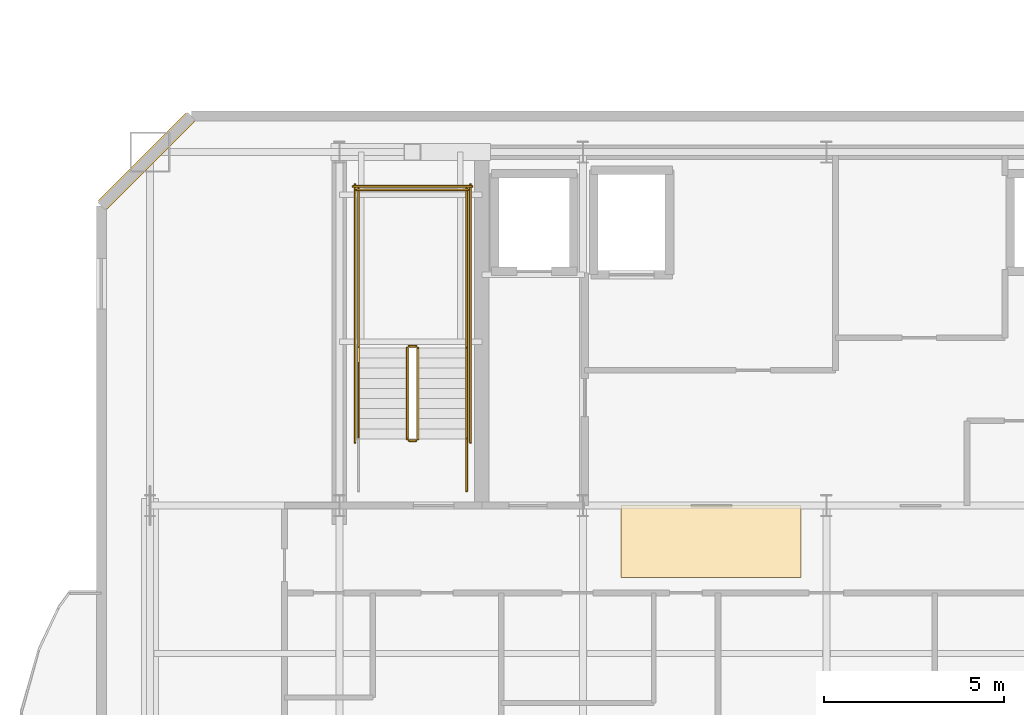
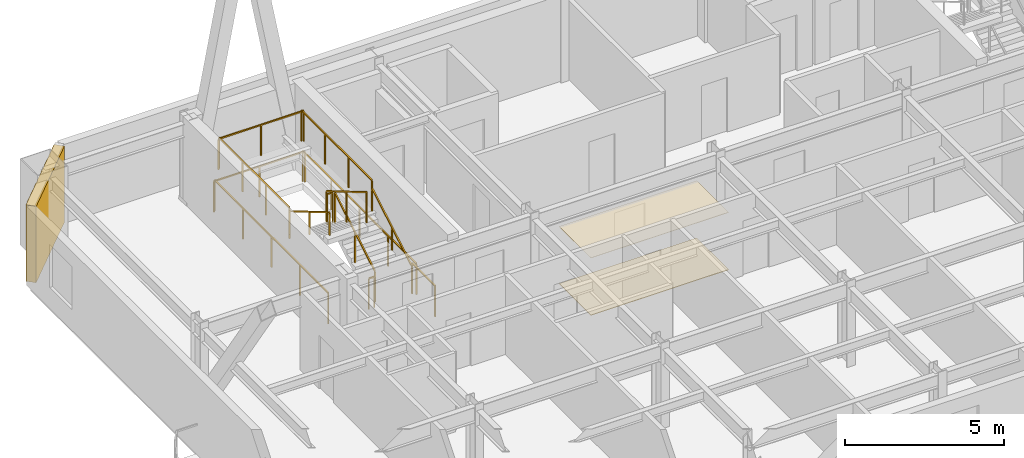
# One storey, part 16 of 19: 13 railings, 2 coverings, 1 shading device.
"""IFC4 building model written with IfcOpenShell, lengths in metres."""

from ifc_helpers import new_model, si_unit, direction, frame, origin, origin_2d, place, context, subcontext, project, spatial, polyline, rectangle, outline, extrude, material, layer, layer_set, type_object, element, save


model = new_model("IFC4")

# Units and contexts
model_context = context("Model", 3, precision=1e-05, world=origin(), true_north=direction((0.0, 1.0)))
body_context = subcontext(model_context, "Body", "Model", "MODEL_VIEW")
ifc_project = project(units=[si_unit("LENGTHUNIT", "METRE"), si_unit("AREAUNIT", "SQUARE_METRE"), si_unit("VOLUMEUNIT", "CUBIC_METRE"), si_unit("PLANEANGLEUNIT", "RADIAN"), si_unit("MASSUNIT", "GRAM", prefix="KILO")], contexts=[model_context])

# Site, building, storey
site_placement = place(None, origin())
site = spatial("IfcSite", under=ifc_project, at=site_placement, CompositionType="ELEMENT")
building_placement = place(site_placement, origin())
building = spatial("IfcBuilding", under=site, at=building_placement, Name="Haevon Station Towers", CompositionType="ELEMENT")
storey_placement = place(building_placement, frame((0.0, 0.0, 218.699951171875)))
storey = spatial("IfcBuildingStorey", under=building, at=storey_placement, Name="L60", CompositionType="ELEMENT", Elevation=218.699951171875)

# Coverings
ifc_material_1 = material(Name="Gypsum acoustic ceiling tile", Category="concrete")
ifc_layer_1 = layer(ifc_material_1, 0.014892578125)
ifc_layer_set_1 = layer_set([ifc_layer_1], Name="Gypsum acoustic ceiling tile")
covering_type_1 = type_object("IfcCoveringType", Name="COV-CEIL15", PredefinedType="CEILING", material=ifc_layer_set_1)
covering_1_placement = place(storey_placement, frame((0.0, 0.0, 2.199951171875)))
element("IfcCovering", 1, at=covering_1_placement, inside=storey, type_object=covering_type_1, Name="L60 Acoustic Corridor Ceiling", PredefinedType="CEILING", context=body_context, shape_type="SweptSolid", body=[
    extrude(outline(polyline([(31.800048828125, 36.199951171875), (36.800048828125, 36.199951171875), (36.800048828125, 38.199951171875), (31.800048828125, 38.199951171875), (31.800048828125, 36.199951171875)])), origin(), (0.0, 0.0, 1.0), 0.01513671875),
])
ifc_material_2 = material(Name="Granite stone paving", Category="masonry")
ifc_layer_2 = layer(ifc_material_2, 0.02001953125)
ifc_layer_set_2 = layer_set([ifc_layer_2], Name="Granite stone paving")
covering_type_2 = type_object("IfcCoveringType", Name="COV-FLR20", PredefinedType="FLOORING", material=ifc_layer_set_2)
covering_2_placement = place(storey_placement, origin())
element("IfcCovering", 2, at=covering_2_placement, inside=storey, type_object=covering_type_2, Name="L60 Corridor Stone Flooring", PredefinedType="FLOORING", context=body_context, shape_type="SweptSolid", body=[
    extrude(outline(polyline([(31.800048828125, 36.199951171875), (36.800048828125, 36.199951171875), (36.800048828125, 38.199951171875), (31.800048828125, 38.199951171875), (31.800048828125, 36.199951171875)])), origin(), (0.0, 0.0, 1.0), 0.02001953125),
])

# Railings
ifc_material_3 = material(Name="Steel S355", Category="steel")
railing_type_1 = type_object("IfcRailingType", Name="GRD-STR1200", PredefinedType="GUARDRAIL", material=ifc_material_3)
railing_1_placement = place(storey_placement, frame((26.179931640625, 40.050048828125, 0.1650390625)))
element("IfcRailing", 3, at=railing_1_placement, inside=storey, type_object=railing_type_1, Name="L60 ST1 Stair Guard 1", PredefinedType="GUARDRAIL", context=body_context, shape_type="SweptSolid", body=[
    extrude(rectangle(XDim=0.048095703125, YDim=0.048095703125, at=origin_2d()), frame((0.0, 0.0, 1.17578125), z_axis=(0.0, 0.86152411907, 0.507716645641), x_axis=(-1.0, 0.0, 0.0)), (0.0, 0.0, 1.0), 2.925048828125),
    extrude(rectangle(XDim=0.0419921875, YDim=0.0419921875, at=origin_2d()), origin(), (0.0, 0.0, 1.0), 1.15185546875),
    extrude(rectangle(XDim=0.0419921875, YDim=0.0419921875, at=origin_2d()), frame((0.0, 1.260009765625, 0.74267578125)), (0.0, 0.0, 1.0), 1.15185546875),
    extrude(rectangle(XDim=0.0419921875, YDim=0.0419921875, at=origin_2d()), frame((0.0, 2.52001953125, 1.485107421875)), (0.0, 0.0, 1.0), 1.15185546875),
])
railing_2_placement = place(storey_placement, frame((26.1298828125, 42.6201171875, 1.650146484375)))
element("IfcRailing", 4, at=railing_2_placement, inside=storey, type_object=railing_type_1, Name="L60 ST1 Stair Guard 2", PredefinedType="GUARDRAIL", context=body_context, shape_type="SweptSolid", body=[
    extrude(rectangle(XDim=0.048095703125, YDim=0.048095703125, at=origin_2d()), frame((0.0, 0.0, 1.17578125), z_axis=(-1.0, 0.0, 0.0), x_axis=(0.0, -1.0, 0.0)), (0.0, 0.0, 1.0), 0.199951171875),
    extrude(rectangle(XDim=0.0419921875, YDim=0.0419921875, at=origin_2d()), origin(), (0.0, 0.0, 1.0), 1.15185546875),
    extrude(rectangle(XDim=0.0419921875, YDim=0.0419921875, at=origin_2d()), frame((-0.199951171875, 0.0, 0.0)), (0.0, 0.0, 1.0), 1.15185546875),
])
for number, where, name in (
    (5, (27.530029296875, 42.570068359375, 1.650146484375), "L60 ST1 Stair Guard 3"),
    (6, (24.530029296875, 42.570068359375, 1.650146484375), "L60 ST1 Stair Guard 4"),
):
    element("IfcRailing", number, at=place(storey_placement, frame(where)), inside=storey, type_object=railing_type_1, Name=name, PredefinedType="GUARDRAIL", context=body_context, shape_type="SweptSolid", body=[
        extrude(rectangle(XDim=0.048095703125, YDim=0.048095703125, at=origin_2d()), frame((0.0, 0.0, 1.17578125), z_axis=(0.0, 1.0, 0.0), x_axis=(-1.0, 0.0, 0.0)), (0.0, 0.0, 1.0), 4.429931640625),
        extrude(rectangle(XDim=0.0419921875, YDim=0.0419921875, at=origin_2d()), origin(), (0.0, 0.0, 1.0), 1.15185546875),
        extrude(rectangle(XDim=0.0419921875, YDim=0.0419921875, at=origin_2d()), frame((0.0, 1.4765625, 0.0)), (0.0, 0.0, 1.0), 1.15185546875),
        extrude(rectangle(XDim=0.0419921875, YDim=0.0419921875, at=origin_2d()), frame((0.0, 2.953369140625, 0.0)), (0.0, 0.0, 1.0), 1.15185546875),
        extrude(rectangle(XDim=0.0419921875, YDim=0.0419921875, at=origin_2d()), frame((0.0, 4.429931640625, 0.0)), (0.0, 0.0, 1.0), 1.15185546875),
    ])
railing_3_placement = place(storey_placement, frame((27.580078125, 46.949951171875, 1.650146484375)))
element("IfcRailing", 7, at=railing_3_placement, inside=storey, type_object=railing_type_1, Name="L60 ST1 Stair Guard 5", PredefinedType="GUARDRAIL", context=body_context, shape_type="SweptSolid", body=[
    extrude(rectangle(XDim=0.048095703125, YDim=0.048095703125, at=origin_2d()), frame((0.0, 0.0, 1.17578125), z_axis=(-1.0, 0.0, 0.0), x_axis=(0.0, -1.0, 0.0)), (0.0, 0.0, 1.0), 3.10009765625),
    extrude(rectangle(XDim=0.0419921875, YDim=0.0419921875, at=origin_2d()), origin(), (0.0, 0.0, 1.0), 1.15185546875),
    extrude(rectangle(XDim=0.0419921875, YDim=0.0419921875, at=origin_2d()), frame((-1.550048828125, 0.0, 0.0)), (0.0, 0.0, 1.0), 1.15185546875),
    extrude(rectangle(XDim=0.0419921875, YDim=0.0419921875, at=origin_2d()), frame((-3.10009765625, 0.0, 0.0)), (0.0, 0.0, 1.0), 1.15185546875),
])
railing_4_placement = place(storey_placement, frame((25.8798828125, 42.570068359375, 1.81494140625)))
element("IfcRailing", 8, at=railing_4_placement, inside=storey, type_object=railing_type_1, Name="L60 ST1 Stair Guard 6", PredefinedType="GUARDRAIL", context=body_context, shape_type="SweptSolid", body=[
    extrude(rectangle(XDim=0.048095703125, YDim=0.048095703125, at=origin_2d()), frame((0.0, 0.0, 1.17578125), z_axis=(0.0, -0.86152411907, 0.507716645641), x_axis=(1.0, 0.0, 0.0)), (0.0, 0.0, 1.0), 2.925048828125),
    extrude(rectangle(XDim=0.0419921875, YDim=0.0419921875, at=origin_2d()), origin(), (0.0, 0.0, 1.0), 1.15185546875),
    extrude(rectangle(XDim=0.0419921875, YDim=0.0419921875, at=origin_2d()), frame((0.0, -1.260009765625, 0.74267578125)), (0.0, 0.0, 1.0), 1.15185546875),
    extrude(rectangle(XDim=0.0419921875, YDim=0.0419921875, at=origin_2d()), frame((0.0, -2.52001953125, 1.485107421875)), (0.0, 0.0, 1.0), 1.15185546875),
])
railing_5_placement = place(storey_placement, frame((26.1298828125, 40.0, 0.0)))
element("IfcRailing", 9, at=railing_5_placement, inside=storey, type_object=railing_type_1, Name="L60 ST1 Stair Guard 7", PredefinedType="GUARDRAIL", context=body_context, shape_type="SweptSolid", body=[
    extrude(rectangle(XDim=0.048095703125, YDim=0.048095703125, at=origin_2d()), frame((0.0, 0.0, 1.17578125), z_axis=(-1.0, 0.0, 0.0), x_axis=(0.0, -1.0, 0.0)), (0.0, 0.0, 1.0), 0.199951171875),
    extrude(rectangle(XDim=0.0419921875, YDim=0.0419921875, at=origin_2d()), origin(), (0.0, 0.0, 1.0), 1.15185546875),
    extrude(rectangle(XDim=0.0419921875, YDim=0.0419921875, at=origin_2d()), frame((-0.199951171875, 0.0, 0.0)), (0.0, 0.0, 1.0), 1.15185546875),
])
railing_6_placement = place(storey_placement, frame((27.530029296875, 38.60009765625, 0.0)))
element("IfcRailing", 10, at=railing_6_placement, inside=storey, type_object=railing_type_1, Name="L60 ST1 Stair Guard 8", PredefinedType="GUARDRAIL", context=body_context, shape_type="SweptSolid", body=[
    extrude(rectangle(XDim=0.048095703125, YDim=0.048095703125, at=origin_2d()), frame((0.0, 0.0, 1.17578125), z_axis=(0.0, 1.0, 0.0), x_axis=(-1.0, 0.0, 0.0)), (0.0, 0.0, 1.0), 1.449951171875),
    extrude(rectangle(XDim=0.0419921875, YDim=0.0419921875, at=origin_2d()), origin(), (0.0, 0.0, 1.0), 1.15185546875),
    extrude(rectangle(XDim=0.0419921875, YDim=0.0419921875, at=origin_2d()), frame((0.0, 1.449951171875, 0.0)), (0.0, 0.0, 1.0), 1.15185546875),
])
for number, where, name in (
    (11, (27.6298828125, 39.949951171875, 0.0), "L60 ST1 Stair Guard 10"),
    (12, (24.429931640625, 39.949951171875, 0.0), "L60 ST1 Stair Guard 11"),
):
    element("IfcRailing", number, at=place(storey_placement, frame(where)), inside=storey, type_object=railing_type_1, Name=name, PredefinedType="GUARDRAIL", context=body_context, shape_type="SweptSolid", body=[
        extrude(rectangle(XDim=0.048095703125, YDim=0.048095703125, at=origin_2d()), frame((0.0, 0.0, 1.17578125), z_axis=(0.0, 1.0, 0.0), x_axis=(-1.0, 0.0, 0.0)), (0.0, 0.0, 1.0), 7.150146484375),
        extrude(rectangle(XDim=0.0419921875, YDim=0.0419921875, at=origin_2d()), origin(), (0.0, 0.0, 1.0), 1.15185546875),
        extrude(rectangle(XDim=0.0419921875, YDim=0.0419921875, at=origin_2d()), frame((0.0, 1.78759765625, 0.0)), (0.0, 0.0, 1.0), 1.15185546875),
        extrude(rectangle(XDim=0.0419921875, YDim=0.0419921875, at=origin_2d()), frame((0.0, 3.5751953125, 0.0)), (0.0, 0.0, 1.0), 1.15185546875),
        extrude(rectangle(XDim=0.0419921875, YDim=0.0419921875, at=origin_2d()), frame((0.0, 5.362548828125, 0.0)), (0.0, 0.0, 1.0), 1.15185546875),
        extrude(rectangle(XDim=0.0419921875, YDim=0.0419921875, at=origin_2d()), frame((0.0, 7.150146484375, 0.0)), (0.0, 0.0, 1.0), 1.15185546875),
    ])
railing_7_placement = place(storey_placement, frame((27.679931640625, 47.050048828125, 0.0)))
element("IfcRailing", 13, at=railing_7_placement, inside=storey, type_object=railing_type_1, Name="L60 ST1 Stair Guard 12", PredefinedType="GUARDRAIL", context=body_context, shape_type="SweptSolid", body=[
    extrude(rectangle(XDim=0.048095703125, YDim=0.048095703125, at=origin_2d()), frame((0.0, 0.0, 1.17578125), z_axis=(-1.0, 0.0, 0.0), x_axis=(0.0, -1.0, 0.0)), (0.0, 0.0, 1.0), 3.300048828125),
    extrude(rectangle(XDim=0.0419921875, YDim=0.0419921875, at=origin_2d()), origin(), (0.0, 0.0, 1.0), 1.15185546875),
    extrude(rectangle(XDim=0.0419921875, YDim=0.0419921875, at=origin_2d()), frame((-1.64990234375, 0.0, 0.0)), (0.0, 0.0, 1.0), 1.15185546875),
    extrude(rectangle(XDim=0.0419921875, YDim=0.0419921875, at=origin_2d()), frame((-3.300048828125, 0.0, 0.0)), (0.0, 0.0, 1.0), 1.15185546875),
])
railing_type_2 = type_object("IfcRailingType", Name="HND-STR900", PredefinedType="HANDRAIL", material=ifc_material_3)
railing_8_placement = place(storey_placement, frame((27.530029296875, 40.050048828125, 0.1650390625)))
element("IfcRailing", 14, at=railing_8_placement, inside=storey, type_object=railing_type_2, Name="L60 ST1 Stair Handrail 1", PredefinedType="HANDRAIL", context=body_context, shape_type="SweptSolid", body=[
    extrude(rectangle(XDim=0.048095703125, YDim=0.048095703125, at=origin_2d()), frame((0.0, 0.0, 0.8759765625), z_axis=(0.0, 0.86152411907, 0.507716645641), x_axis=(-1.0, 0.0, 0.0)), (0.0, 0.0, 1.0), 2.925048828125),
    extrude(rectangle(XDim=0.0419921875, YDim=0.0419921875, at=origin_2d()), origin(), (0.0, 0.0, 1.0), 0.851806640625),
    extrude(rectangle(XDim=0.0419921875, YDim=0.0419921875, at=origin_2d()), frame((0.0, 1.260009765625, 0.74267578125)), (0.0, 0.0, 1.0), 0.851806640625),
    extrude(rectangle(XDim=0.0419921875, YDim=0.0419921875, at=origin_2d()), frame((0.0, 2.52001953125, 1.485107421875)), (0.0, 0.0, 1.0), 0.851806640625),
])
railing_9_placement = place(storey_placement, frame((24.530029296875, 42.570068359375, 1.81494140625)))
element("IfcRailing", 15, at=railing_9_placement, inside=storey, type_object=railing_type_2, Name="L60 ST1 Stair Handrail 2", PredefinedType="HANDRAIL", context=body_context, shape_type="SweptSolid", body=[
    extrude(rectangle(XDim=0.048095703125, YDim=0.048095703125, at=origin_2d()), frame((0.0, 0.0, 0.8759765625), z_axis=(0.0, -0.86152411907, 0.507716645641), x_axis=(1.0, 0.0, 0.0)), (0.0, 0.0, 1.0), 2.925048828125),
    extrude(rectangle(XDim=0.0419921875, YDim=0.0419921875, at=origin_2d()), origin(), (0.0, 0.0, 1.0), 0.851806640625),
    extrude(rectangle(XDim=0.0419921875, YDim=0.0419921875, at=origin_2d()), frame((0.0, -1.260009765625, 0.74267578125)), (0.0, 0.0, 1.0), 0.851806640625),
    extrude(rectangle(XDim=0.0419921875, YDim=0.0419921875, at=origin_2d()), frame((0.0, -2.52001953125, 1.485107421875)), (0.0, 0.0, 1.0), 0.851806640625),
])

# Shading device
ifc_material_4 = material(Name="Anodised aluminium 6063-T6", Category="aluminium")
ifc_layer_3 = layer(ifc_material_4, 0.139892578125)
ifc_layer_set_3 = layer_set([ifc_layer_3], Name="Anodised aluminium 6063-T6")
shading_device_type = type_object("IfcShadingDeviceType", Name="SHD-WIND-BAFFLE", PredefinedType="SHUTTER", material=ifc_layer_set_3)
shading_device_placement = place(storey_placement, frame((18.64990234375, 47.75, 0.05029296875), z_axis=(0.0, 0.0, 1.0), x_axis=(0.707106781187, 0.707106781187, 0.0)))
element("IfcShadingDevice", 16, at=shading_device_placement, inside=storey, type_object=shading_device_type, Name="Tower 1 L60 Wind-Corner Aerofoil Baffle NWC", PredefinedType="SHUTTER", context=body_context, shape_type="SweptSolid", body=[
    extrude(rectangle(XDim=3.435546875, YDim=0.340087890625, at=origin_2d()), origin(), (0.0, 0.0, 1.0), 2.929931640625),
])

save(model, "model.ifc")
